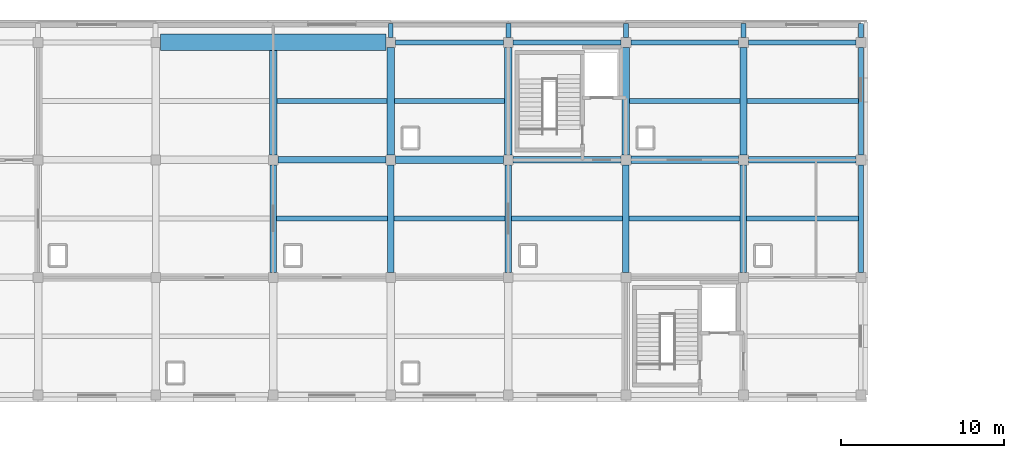
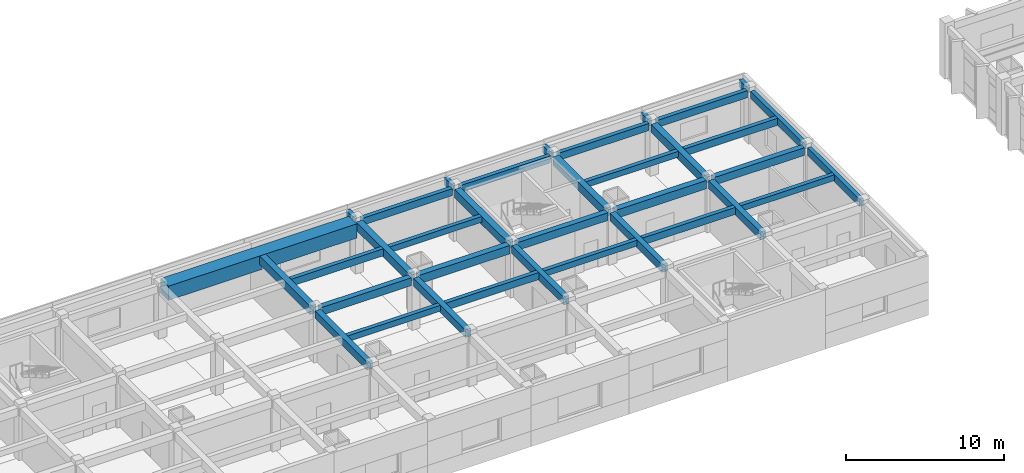
# One storey, part 19 of 70: 36 beams.
"""IFC4 building model written with IfcOpenShell, lengths in metres."""

from ifc_helpers import new_model, si_unit, direction, frame, origin, origin_2d, place, context, subcontext, project, spatial, rectangle, extrude, material, material_profile, profile_set, type_object, element, save


model = new_model("IFC4")

# Units and contexts
model_context = context("Model", 3, precision=1e-05, world=origin(), true_north=direction((0.0, 1.0)))
body_context = subcontext(model_context, "Body", "Model", "MODEL_VIEW")
ifc_project = project(units=[si_unit("LENGTHUNIT", "METRE"), si_unit("AREAUNIT", "SQUARE_METRE"), si_unit("VOLUMEUNIT", "CUBIC_METRE"), si_unit("PLANEANGLEUNIT", "RADIAN"), si_unit("MASSUNIT", "GRAM", prefix="KILO")], contexts=[model_context])

# Site, building, storey
site_placement = place(None, origin())
site = spatial("IfcSite", under=ifc_project, at=site_placement, CompositionType="ELEMENT")
building_placement = place(site_placement, origin())
building = spatial("IfcBuilding", under=site, at=building_placement, Name="Kavelor Marine Aquarium", CompositionType="ELEMENT")
storey_placement = place(building_placement, frame((0.0, 0.0, 9.179931640625)))
storey = spatial("IfcBuildingStorey", under=building, at=storey_placement, Name="L02", CompositionType="ELEMENT", Elevation=9.179931640625)

# Beams
ifc_material_1 = material(Name="Concrete C40/50", Category="concrete")
ifc_material_profile_1 = material_profile(ifc_material_1, rectangle(XDim=0.449951171875, YDim=0.64990234375, at=origin_2d()), Name="RC-BM 450x650")
ifc_profile_set_1 = profile_set([ifc_material_profile_1], Name="Concrete C40/50")
beam_type_1 = type_object("IfcBeamType", Name="BM-B3", PredefinedType="BEAM", material=ifc_profile_set_1)
for number, where, z_axis, x_axis, name in (
    (1, (75.5, 103.60009765625, 3.695068359375), (1.0, 0.0, 0.0), (0.0, 1.0, 0.0), "bm:x:L02:L03:10_14"),
    (2, (89.89990234375, 103.60009765625, 3.695068359375), (1.0, 0.0, 0.0), (0.0, 1.0, 0.0), "bm:x:L02:L03:12_14"),
):
    element("IfcBeam", number, at=place(storey_placement, frame(where, z_axis=z_axis, x_axis=x_axis)), inside=storey, type_object=beam_type_1, Name=name, PredefinedType="BEAM", context=body_context, shape_type="SweptSolid", body=[
        extrude(rectangle(XDim=0.449951171875, YDim=0.64990234375, at=origin_2d()), origin(), (0.0, 0.0, 1.0), 6.60009765625),
    ])
beam_1_placement = place(storey_placement, frame((68.0, 103.89990234375, 3.695068359375), z_axis=(0.0, 1.0, 0.0), x_axis=(-1.0, 0.0, 0.0)))
element("IfcBeam", 3, at=beam_1_placement, inside=storey, type_object=beam_type_1, Name="bm:y:L02:L03:09_14", PredefinedType="BEAM", context=body_context, shape_type="SweptSolid", body=[
    extrude(rectangle(XDim=0.449951171875, YDim=0.64990234375, at=origin_2d()), origin(), (0.0, 0.0, 1.0), 6.400146484375),
])
for number, where, z_axis, x_axis, name in (
    (4, (75.199951171875, 103.89990234375, 3.695068359375), (0.0, 1.0, 0.0), (-1.0, 0.0, 0.0), "bm:y:L02:L03:10_14"),
    (5, (82.39990234375, 103.89990234375, 3.695068359375), (0.0, 1.0, 0.0), (-1.0, 0.0, 0.0), "bm:y:L02:L03:11_14"),
    (6, (89.60009765625, 103.89990234375, 3.695068359375), (0.0, 1.0, 0.0), (-1.0, 0.0, 0.0), "bm:y:L02:L03:12_14"),
    (7, (96.800048828125, 103.89990234375, 3.695068359375), (0.0, 1.0, 0.0), (-1.0, 0.0, 0.0), "bm:y:L02:L03:13_14"),
):
    element("IfcBeam", number, at=place(storey_placement, frame(where, z_axis=z_axis, x_axis=x_axis)), inside=storey, type_object=beam_type_1, Name=name, PredefinedType="BEAM", context=body_context, shape_type="SweptSolid", body=[
        extrude(rectangle(XDim=0.449951171875, YDim=0.64990234375, at=origin_2d()), origin(), (0.0, 0.0, 1.0), 6.60009765625),
    ])
ifc_material_2 = material(Name="Concrete C40/50", Category="concrete")
ifc_material_profile_2 = material_profile(ifc_material_2, rectangle(XDim=0.39990234375, YDim=0.60009765625, at=origin_2d()), Name="RC-BM 400x600")
ifc_profile_set_2 = profile_set([ifc_material_profile_2], Name="Concrete C40/50")
beam_type_2 = type_object("IfcBeamType", Name="BM-B4", PredefinedType="BEAM", material=ifc_profile_set_2)
beam_2_placement = place(storey_placement, frame((68.300048828125, 103.60009765625, 3.719970703125), z_axis=(1.0, 0.0, 0.0), x_axis=(0.0, 1.0, 0.0)))
element("IfcBeam", 8, at=beam_2_placement, inside=storey, type_object=beam_type_2, Name="bm:x:L02:L03:09_14", PredefinedType="BEAM", context=body_context, shape_type="SweptSolid", body=[
    extrude(rectangle(XDim=0.39990234375, YDim=0.60009765625, at=origin_2d()), origin(), (0.0, 0.0, 1.0), 6.599853515625),
])
beam_3_placement = place(storey_placement, frame((82.699951171875, 103.60009765625, 3.719970703125), z_axis=(1.0, 0.0, 0.0), x_axis=(0.0, 1.0, 0.0)))
element("IfcBeam", 9, at=beam_3_placement, inside=storey, type_object=beam_type_2, Name="bm:x:L02:L03:11_14", PredefinedType="BEAM", context=body_context, shape_type="SweptSolid", body=[
    extrude(rectangle(XDim=0.39990234375, YDim=0.60009765625, at=origin_2d()), origin(), (0.0, 0.0, 1.0), 6.60009765625),
])
beam_4_placement = place(storey_placement, frame((97.10009765625, 103.60009765625, 3.719970703125), z_axis=(1.0, 0.0, 0.0), x_axis=(0.0, 1.0, 0.0)))
element("IfcBeam", 10, at=beam_4_placement, inside=storey, type_object=beam_type_2, Name="bm:x:L02:L03:13_14", PredefinedType="BEAM", context=body_context, shape_type="SweptSolid", body=[
    extrude(rectangle(XDim=0.39990234375, YDim=0.60009765625, at=origin_2d()), origin(), (0.0, 0.0, 1.0), 6.599853515625),
])
for number, where, z_axis, x_axis, name in (
    (11, (68.0, 96.699951171875, 3.719970703125), (0.0, 1.0, 0.0), (-1.0, 0.0, 0.0), "bm:y:L02:L03:09_13"),
    (12, (75.199951171875, 96.699951171875, 3.719970703125), (0.0, 1.0, 0.0), (-1.0, 0.0, 0.0), "bm:y:L02:L03:10_13"),
    (13, (82.39990234375, 96.699951171875, 3.719970703125), (0.0, 1.0, 0.0), (-1.0, 0.0, 0.0), "bm:y:L02:L03:11_13"),
    (14, (89.60009765625, 96.699951171875, 3.719970703125), (0.0, 1.0, 0.0), (-1.0, 0.0, 0.0), "bm:y:L02:L03:12_13"),
    (15, (96.800048828125, 96.699951171875, 3.719970703125), (0.0, 1.0, 0.0), (-1.0, 0.0, 0.0), "bm:y:L02:L03:13_13"),
):
    element("IfcBeam", number, at=place(storey_placement, frame(where, z_axis=z_axis, x_axis=x_axis)), inside=storey, type_object=beam_type_2, Name=name, PredefinedType="BEAM", context=body_context, shape_type="SweptSolid", body=[
        extrude(rectangle(XDim=0.39990234375, YDim=0.60009765625, at=origin_2d()), origin(), (0.0, 0.0, 1.0), 6.60009765625),
    ])
ifc_material_3 = material(Name="Concrete C40/50", Category="concrete")
ifc_material_profile_3 = material_profile(ifc_material_3, rectangle(XDim=0.300048828125, YDim=0.449951171875, at=origin_2d()), Name="RC-JS 300x450")
ifc_profile_set_3 = profile_set([ifc_material_profile_3], Name="Concrete C40/50")
beam_type_3 = type_object("IfcBeamType", Name="BM-JS1", PredefinedType="JOIST", material=ifc_profile_set_3)
beam_5_placement = place(storey_placement, frame((68.199951171875, 100.0, 3.795166015625), z_axis=(1.0, 0.0, 0.0), x_axis=(0.0, 1.0, 0.0)))
element("IfcBeam", 16, at=beam_5_placement, inside=storey, type_object=beam_type_3, Name="js:L02:L03:09_13", PredefinedType="JOIST", context=body_context, shape_type="SweptSolid", body=[
    extrude(rectangle(XDim=0.300048828125, YDim=0.449951171875, at=origin_2d()), origin(), (0.0, 0.0, 1.0), 6.800048828125),
])
beam_6_placement = place(storey_placement, frame((75.425048828125, 107.199951171875, 3.795166015625), z_axis=(1.0, 0.0, 0.0), x_axis=(0.0, 1.0, 0.0)))
element("IfcBeam", 17, at=beam_6_placement, inside=storey, type_object=beam_type_3, Name="js:L02:L03:10_14", PredefinedType="JOIST", context=body_context, shape_type="SweptSolid", body=[
    extrude(rectangle(XDim=0.300048828125, YDim=0.449951171875, at=origin_2d()), origin(), (0.0, 0.0, 1.0), 6.75),
])
beam_7_placement = place(storey_placement, frame((82.60009765625, 100.0, 3.795166015625), z_axis=(1.0, 0.0, 0.0), x_axis=(0.0, 1.0, 0.0)))
element("IfcBeam", 18, at=beam_7_placement, inside=storey, type_object=beam_type_3, Name="js:L02:L03:11_13", PredefinedType="JOIST", context=body_context, shape_type="SweptSolid", body=[
    extrude(rectangle(XDim=0.300048828125, YDim=0.449951171875, at=origin_2d()), origin(), (0.0, 0.0, 1.0), 6.7998046875),
])
beam_8_placement = place(storey_placement, frame((89.824951171875, 107.199951171875, 3.795166015625), z_axis=(1.0, 0.0, 0.0), x_axis=(0.0, 1.0, 0.0)))
element("IfcBeam", 19, at=beam_8_placement, inside=storey, type_object=beam_type_3, Name="js:L02:L03:12_14", PredefinedType="JOIST", context=body_context, shape_type="SweptSolid", body=[
    extrude(rectangle(XDim=0.300048828125, YDim=0.449951171875, at=origin_2d()), origin(), (0.0, 0.0, 1.0), 6.75),
])
beam_9_placement = place(storey_placement, frame((97.0, 100.0, 3.795166015625), z_axis=(1.0, 0.0, 0.0), x_axis=(0.0, 1.0, 0.0)))
element("IfcBeam", 20, at=beam_9_placement, inside=storey, type_object=beam_type_3, Name="js:L02:L03:13_13", PredefinedType="JOIST", context=body_context, shape_type="SweptSolid", body=[
    extrude(rectangle(XDim=0.300048828125, YDim=0.449951171875, at=origin_2d()), origin(), (0.0, 0.0, 1.0), 6.85009765625),
])
ifc_material_4 = material(Name="Concrete C40/50", Category="concrete")
ifc_material_profile_4 = material_profile(ifc_material_4, rectangle(XDim=0.300048828125, YDim=0.550048828125, at=origin_2d()), Name="RC-JS 300x550")
ifc_profile_set_4 = profile_set([ifc_material_profile_4], Name="Concrete C40/50")
beam_type_4 = type_object("IfcBeamType", Name="BM-JS2", PredefinedType="JOIST", material=ifc_profile_set_4)
beam_10_placement = place(storey_placement, frame((68.22509765625, 107.199951171875, 3.76513671875), z_axis=(1.0, 0.0, 0.0), x_axis=(0.0, 1.0, 0.0)))
element("IfcBeam", 21, at=beam_10_placement, inside=storey, type_object=beam_type_4, Name="js:L02:L03:09_14", PredefinedType="JOIST", context=body_context, shape_type="SweptSolid", body=[
    extrude(rectangle(XDim=0.300048828125, YDim=0.550048828125, at=origin_2d()), origin(), (0.0, 0.0, 1.0), 6.75),
])
for number, where, z_axis, x_axis, name in (
    (22, (75.39990234375, 100.0, 3.76513671875), (1.0, 0.0, 0.0), (0.0, 1.0, 0.0), "js:L02:L03:10_13"),
    (23, (89.800048828125, 100.0, 3.76513671875), (1.0, 0.0, 0.0), (0.0, 1.0, 0.0), "js:L02:L03:12_13"),
):
    element("IfcBeam", number, at=place(storey_placement, frame(where, z_axis=z_axis, x_axis=x_axis)), inside=storey, type_object=beam_type_4, Name=name, PredefinedType="JOIST", context=body_context, shape_type="SweptSolid", body=[
        extrude(rectangle(XDim=0.300048828125, YDim=0.550048828125, at=origin_2d()), origin(), (0.0, 0.0, 1.0), 6.800048828125),
    ])
beam_11_placement = place(storey_placement, frame((97.02490234375, 107.199951171875, 3.76513671875), z_axis=(1.0, 0.0, 0.0), x_axis=(0.0, 1.0, 0.0)))
element("IfcBeam", 24, at=beam_11_placement, inside=storey, type_object=beam_type_4, Name="js:L02:L03:13_14", PredefinedType="JOIST", context=body_context, shape_type="SweptSolid", body=[
    extrude(rectangle(XDim=0.300048828125, YDim=0.550048828125, at=origin_2d()), origin(), (0.0, 0.0, 1.0), 6.8251953125),
])
ifc_material_5 = material(Name="Concrete C40/50", Category="concrete")
ifc_material_profile_5 = material_profile(ifc_material_5, rectangle(XDim=0.300048828125, YDim=0.550048828125, at=origin_2d()), Name="RC-SP 300x550")
ifc_profile_set_5 = profile_set([ifc_material_profile_5], Name="Concrete C40/50")
beam_type_5 = type_object("IfcBeamType", Name="BM-SP2", PredefinedType="SPANDREL", material=ifc_profile_set_5)
for number, where, z_axis, x_axis, name in (
    (25, (75.5, 110.800048828125, 3.7451171875), (1.0, 0.0, 0.0), (0.0, 1.0, 0.0), "bm:x:L02:L03:10_15"),
    (26, (82.699951171875, 110.800048828125, 3.76513671875), (1.0, 0.0, 0.0), (0.0, 1.0, 0.0), "bm:x:L02:L03:11_15"),
    (27, (89.89990234375, 110.800048828125, 3.7451171875), (1.0, 0.0, 0.0), (0.0, 1.0, 0.0), "bm:x:L02:L03:12_15"),
):
    element("IfcBeam", number, at=place(storey_placement, frame(where, z_axis=z_axis, x_axis=x_axis)), inside=storey, type_object=beam_type_5, Name=name, PredefinedType="SPANDREL", context=body_context, shape_type="SweptSolid", body=[
        extrude(rectangle(XDim=0.300048828125, YDim=0.550048828125, at=origin_2d()), origin(), (0.0, 0.0, 1.0), 6.60009765625),
    ])
beam_12_placement = place(storey_placement, frame((97.10009765625, 110.800048828125, 3.76513671875), z_axis=(1.0, 0.0, 0.0), x_axis=(0.0, 1.0, 0.0)))
element("IfcBeam", 28, at=beam_12_placement, inside=storey, type_object=beam_type_5, Name="bm:x:L02:L03:13_15", PredefinedType="SPANDREL", context=body_context, shape_type="SweptSolid", body=[
    extrude(rectangle(XDim=0.300048828125, YDim=0.550048828125, at=origin_2d()), origin(), (0.0, 0.0, 1.0), 6.599853515625),
])
for number, where, z_axis, x_axis, name in (
    (29, (104.0, 96.699951171875, 3.7451171875), (0.0, 1.0, 0.0), (-1.0, 0.0, 0.0), "bm:y:L02:L03:14_13"),
    (30, (104.0, 103.89990234375, 3.76513671875), (0.0, 1.0, 0.0), (-1.0, 0.0, 0.0), "bm:y:L02:L03:14_14"),
):
    element("IfcBeam", number, at=place(storey_placement, frame(where, z_axis=z_axis, x_axis=x_axis)), inside=storey, type_object=beam_type_5, Name=name, PredefinedType="SPANDREL", context=body_context, shape_type="SweptSolid", body=[
        extrude(rectangle(XDim=0.300048828125, YDim=0.550048828125, at=origin_2d()), origin(), (0.0, 0.0, 1.0), 6.60009765625),
    ])
for number, where, z_axis, x_axis, name in (
    (31, (75.199951171875, 111.10009765625, 3.7451171875), (0.0, 1.0, 0.0), (-1.0, 0.0, 0.0), "bm:out:n:L02:L03:10"),
    (32, (82.39990234375, 111.10009765625, 3.7451171875), (0.0, 1.0, 0.0), (-1.0, 0.0, 0.0), "bm:out:n:L02:L03:11"),
    (33, (89.60009765625, 111.10009765625, 3.7451171875), (0.0, 1.0, 0.0), (-1.0, 0.0, 0.0), "bm:out:n:L02:L03:12"),
    (34, (96.800048828125, 111.10009765625, 3.7451171875), (0.0, 1.0, 0.0), (-1.0, 0.0, 0.0), "bm:out:n:L02:L03:13"),
    (35, (104.0, 111.10009765625, 3.76513671875), (0.0, 1.0, 0.0), (-1.0, 0.0, 0.0), "bm:out:n:L02:L03:14"),
):
    element("IfcBeam", number, at=place(storey_placement, frame(where, z_axis=z_axis, x_axis=x_axis)), inside=storey, type_object=beam_type_5, Name=name, PredefinedType="SPANDREL", context=body_context, shape_type="SweptSolid", body=[
        extrude(rectangle(XDim=0.300048828125, YDim=0.550048828125, at=origin_2d()), origin(), (0.0, 0.0, 1.0), 0.85986328125),
    ])
ifc_material_6 = material(Name="Concrete C45/55", Category="concrete")
ifc_material_profile_6 = material_profile(ifc_material_6, rectangle(XDim=1.0, YDim=1.10009765625, at=origin_2d()), Name="RC-TG 1000x1100")
ifc_profile_set_6 = profile_set([ifc_material_profile_6], Name="Concrete C45/55")
beam_type_6 = type_object("IfcBeamType", Name="BM-TG1", PredefinedType="BEAM", material=ifc_profile_set_6)
beam_13_placement = place(storey_placement, frame((61.10009765625, 110.800048828125, 3.469970703125), z_axis=(1.0, 0.0, 0.0), x_axis=(0.0, 1.0, 0.0)))
element("IfcBeam", 36, at=beam_13_placement, inside=storey, type_object=beam_type_6, Name="bm:x:L02:L03:08_15_span", PredefinedType="BEAM", context=body_context, shape_type="SweptSolid", body=[
    extrude(rectangle(XDim=1.0, YDim=1.10009765625, at=origin_2d()), origin(), (0.0, 0.0, 1.0), 13.7998046875),
])

save(model, "model.ifc")
